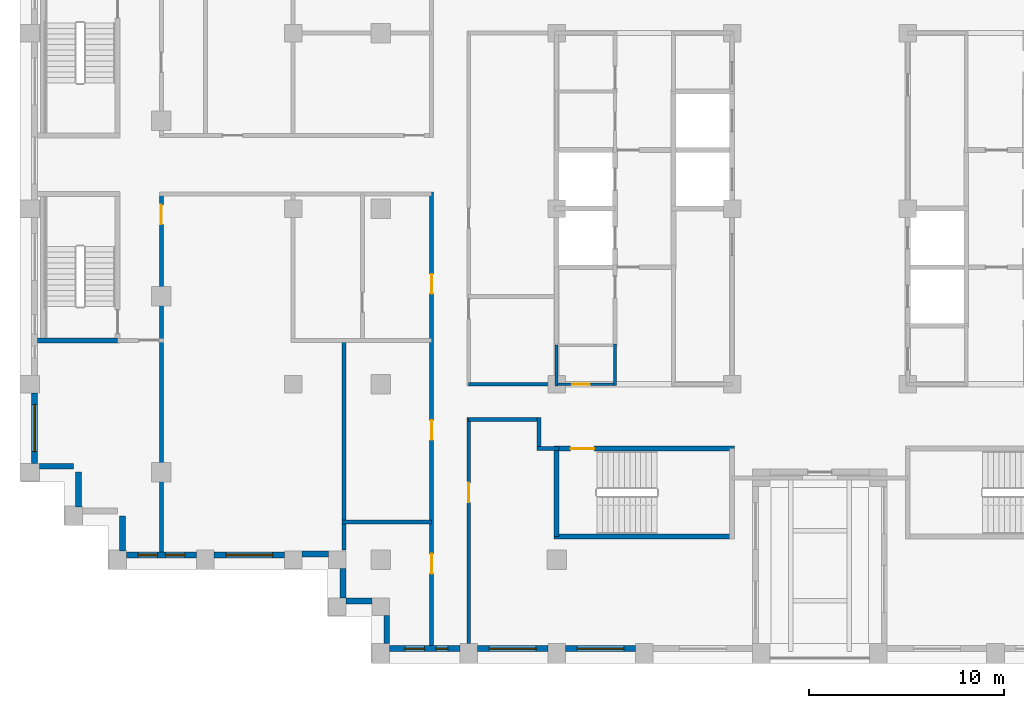
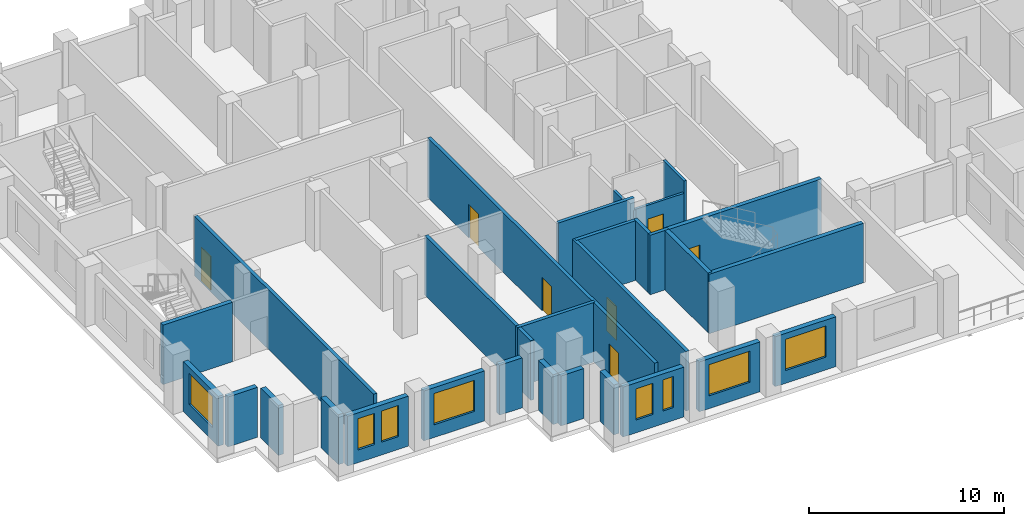
# One storey, part 2 of 12: 29 walls, 8 windows, 7 doors, 15 openings.
"""IFC4 building model written with IfcOpenShell, lengths in metres."""

from ifc_helpers import new_model, si_unit, direction, frame, frame_2d, origin, place, context, subcontext, project, spatial, rectangle, extrude, material, layer, layer_set, type_object, element, fill, save


model = new_model("IFC4")

# Units and contexts
model_context = context("Model", 3, precision=1e-05, world=origin(), true_north=direction((0.0, 1.0)))
body_context = subcontext(model_context, "Body", "Model", "MODEL_VIEW")
ifc_project = project(units=[si_unit("LENGTHUNIT", "METRE"), si_unit("AREAUNIT", "SQUARE_METRE"), si_unit("VOLUMEUNIT", "CUBIC_METRE"), si_unit("PLANEANGLEUNIT", "RADIAN"), si_unit("MASSUNIT", "GRAM", prefix="KILO")], contexts=[model_context])

# Site, building, storey
site_placement = place(None, origin())
site = spatial("IfcSite", under=ifc_project, at=site_placement, CompositionType="ELEMENT")
building_placement = place(site_placement, origin())
building = spatial("IfcBuilding", under=site, at=building_placement, Name="Corbelhall Arena Tower", CompositionType="ELEMENT")
storey_placement = place(building_placement, frame((0.0, 0.0, 184.0)))
storey = spatial("IfcBuildingStorey", under=building, at=storey_placement, Name="L37", CompositionType="ELEMENT", Elevation=184.0)

# Walls
ifc_material_1 = material(Name="Precast concrete C40/50 with granite facing", Category="masonry")
ifc_layer_1 = layer(ifc_material_1, 0.300048828125)
ifc_layer_set_1 = layer_set([ifc_layer_1], Name="EV-IW1 Infill panel 300")
wall_type_1 = type_object("IfcWallType", Name="EV-IW1 Infill panel 300", PredefinedType="SOLIDWALL", material=ifc_layer_set_1)
wall_1_placement = place(storey_placement, frame((-40.0, -13.199951171875, 0.0), z_axis=(0.0, 0.0, 1.0), x_axis=(1.0, 0.0, 0.0)))
element("IfcWall", 1, at=wall_1_placement, inside=storey, type_object=wall_type_1, Name="Infill panel IW1", PredefinedType="SOLIDWALL", context=body_context, shape_type="SweptSolid", body=[
    extrude(rectangle(XDim=1.75, YDim=0.300048828125, at=frame_2d((0.875, 0.0))), origin(), (0.0, 0.0, 1.0), 3.1201171875),
])
for number, where, z_axis, x_axis, name in (
    (2, (-38.0, -15.300048828125, 0.0), (0.0, 0.0, 1.0), (0.0, 1.0, 0.0), "Infill panel IW1"),
    (3, (-35.75, -17.550048828125, 0.0), (0.0, 0.0, 1.0), (0.0, 1.0, 0.0), "Infill panel IW1"),
):
    element("IfcWall", number, at=place(storey_placement, frame(where, z_axis=z_axis, x_axis=x_axis)), inside=storey, type_object=wall_type_1, Name=name, PredefinedType="SOLIDWALL", context=body_context, shape_type="SweptSolid", body=[
        extrude(rectangle(XDim=1.800048828125, YDim=0.300048828125, at=frame_2d((0.89990234375, 0.0))), origin(), (0.0, 0.0, 1.0), 3.1201171875),
    ])

# Wall, opening, window
wall_2_placement = place(storey_placement, frame((-40.25, -9.449951171875, 0.0), z_axis=(0.0, 0.0, 1.0), x_axis=(0.0, -1.0, 0.0)))
wall_2 = element("IfcWall", 4, at=wall_2_placement, inside=storey, type_object=wall_type_1, Name="Infill panel IW1", PredefinedType="SOLIDWALL", context=body_context, shape_type="SweptSolid", body=[
    extrude(rectangle(XDim=3.60009765625, YDim=0.300048828125, at=frame_2d((1.800048828125, 0.0))), origin(), (0.0, 0.0, 1.0), 3.1201171875),
])
opening_1_placement = place(wall_2_placement, frame((0.60009765625, 0.0, 0.800048828125)))
opening_1 = element("IfcOpeningElement", 5, at=opening_1_placement, cuts=wall_2, Name="Opening WN1", PredefinedType="OPENING", context=body_context, shape_type="SweptSolid", body=[
    extrude(rectangle(XDim=2.39990234375, YDim=1.949951171875, at=frame_2d((1.199951171875, 0.97509765625))), frame((0.0, 0.14990234375, 0.0), z_axis=(0.0, -1.0, 0.0), x_axis=(1.0, 0.0, 0.0)), (0.0, 0.0, 1.0), 0.300048828125),
])
ifc_material_2 = material(Name="Aluminium black anodised", Category="aluminium")
window_type_1 = type_object("IfcWindowType", Name="EV-WN1 Office window", PartitioningType="SINGLE_PANEL", PredefinedType="WINDOW", material=ifc_material_2)
window_1_placement = place(opening_1_placement, origin())
window_1 = element("IfcWindow", 6, at=window_1_placement, inside=storey, type_object=window_type_1, Name="Window WN1", OverallHeight=1.949951171875, OverallWidth=2.39990234375, PartitioningType="SINGLE_PANEL", PredefinedType="WINDOW", context=body_context, shape_type="SweptSolid", body=[
    extrude(rectangle(XDim=2.39990234375, YDim=1.949951171875, at=frame_2d((1.199951171875, 0.97509765625))), frame((0.0, 0.030029296875, 0.0), z_axis=(0.0, -1.0, 0.0), x_axis=(1.0, 0.0, 0.0)), (0.0, 0.0, 1.0), 0.06005859375),
])
fill(opening_1, window_1)

# Wall, openings, windows
wall_3_placement = place(storey_placement, frame((-35.550048828125, -17.75, 0.0), z_axis=(0.0, 0.0, 1.0), x_axis=(1.0, 0.0, 0.0)))
wall_3 = element("IfcWall", 7, at=wall_3_placement, inside=storey, type_object=wall_type_1, Name="Infill panel IW1", PredefinedType="SOLIDWALL", context=body_context, shape_type="SweptSolid", body=[
    extrude(rectangle(XDim=3.60009765625, YDim=0.300048828125, at=frame_2d((1.800048828125, 0.0))), origin(), (0.0, 0.0, 1.0), 3.1201171875),
])
opening_2_placement = place(wall_3_placement, frame((0.60009765625, 0.0, 0.800048828125)))
opening_2 = element("IfcOpeningElement", 8, at=opening_2_placement, cuts=wall_3, Name="Opening WN6", PredefinedType="OPENING", context=body_context, shape_type="SweptSolid", body=[
    extrude(rectangle(XDim=1.0, YDim=1.949951171875, at=frame_2d((0.5, 0.97509765625))), frame((0.0, 0.14990234375, 0.0), z_axis=(0.0, -1.0, 0.0), x_axis=(1.0, 0.0, 0.0)), (0.0, 0.0, 1.0), 0.300048828125),
])
opening_3_placement = place(wall_3_placement, frame((2.0, 0.0, 0.800048828125)))
opening_3 = element("IfcOpeningElement", 9, at=opening_3_placement, cuts=wall_3, Name="Opening WN6", PredefinedType="OPENING", context=body_context, shape_type="SweptSolid", body=[
    extrude(rectangle(XDim=1.0, YDim=1.949951171875, at=frame_2d((0.5, 0.97509765625))), frame((0.0, 0.14990234375, 0.0), z_axis=(0.0, -1.0, 0.0), x_axis=(1.0, 0.0, 0.0)), (0.0, 0.0, 1.0), 0.300048828125),
])
window_type_2 = type_object("IfcWindowType", Name="EV-WN6 Office window 1000", PartitioningType="SINGLE_PANEL", PredefinedType="WINDOW", material=ifc_material_2)
window_2_placement = place(opening_2_placement, origin())
window_2 = element("IfcWindow", 10, at=window_2_placement, inside=storey, type_object=window_type_2, Name="Window WN6", OverallHeight=1.949951171875, OverallWidth=1.0, PartitioningType="SINGLE_PANEL", PredefinedType="WINDOW", context=body_context, shape_type="SweptSolid", body=[
    extrude(rectangle(XDim=1.0, YDim=1.949951171875, at=frame_2d((0.5, 0.97509765625))), frame((0.0, 0.030029296875, 0.0), z_axis=(0.0, -1.0, 0.0), x_axis=(1.0, 0.0, 0.0)), (0.0, 0.0, 1.0), 0.06005859375),
])
fill(opening_2, window_2)
window_3_placement = place(opening_3_placement, origin())
window_3 = element("IfcWindow", 11, at=window_3_placement, inside=storey, type_object=window_type_2, Name="Window WN6", OverallHeight=1.949951171875, OverallWidth=1.0, PartitioningType="SINGLE_PANEL", PredefinedType="WINDOW", context=body_context, shape_type="SweptSolid", body=[
    extrude(rectangle(XDim=1.0, YDim=1.949951171875, at=frame_2d((0.5, 0.97509765625))), frame((0.0, 0.030029296875, 0.0), z_axis=(0.0, -1.0, 0.0), x_axis=(1.0, 0.0, 0.0)), (0.0, 0.0, 1.0), 0.06005859375),
])
fill(opening_3, window_3)

# Wall, opening, window
wall_4_placement = place(storey_placement, frame((-31.050048828125, -17.75, 0.0), z_axis=(0.0, 0.0, 1.0), x_axis=(1.0, 0.0, 0.0)))
wall_4 = element("IfcWall", 12, at=wall_4_placement, inside=storey, type_object=wall_type_1, Name="Infill panel IW1", PredefinedType="SOLIDWALL", context=body_context, shape_type="SweptSolid", body=[
    extrude(rectangle(XDim=3.60009765625, YDim=0.300048828125, at=frame_2d((1.800048828125, 0.0))), origin(), (0.0, 0.0, 1.0), 3.1201171875),
])
opening_4_placement = place(wall_4_placement, frame((0.60009765625, 0.0, 0.800048828125)))
opening_4 = element("IfcOpeningElement", 13, at=opening_4_placement, cuts=wall_4, Name="Opening WN1", PredefinedType="OPENING", context=body_context, shape_type="SweptSolid", body=[
    extrude(rectangle(XDim=2.39990234375, YDim=1.949951171875, at=frame_2d((1.199951171875, 0.97509765625))), frame((0.0, 0.14990234375, 0.0), z_axis=(0.0, -1.0, 0.0), x_axis=(1.0, 0.0, 0.0)), (0.0, 0.0, 1.0), 0.300048828125),
])
window_4_placement = place(opening_4_placement, origin())
window_4 = element("IfcWindow", 14, at=window_4_placement, inside=storey, type_object=window_type_1, Name="Window WN1", OverallHeight=1.949951171875, OverallWidth=2.39990234375, PartitioningType="SINGLE_PANEL", PredefinedType="WINDOW", context=body_context, shape_type="SweptSolid", body=[
    extrude(rectangle(XDim=2.39990234375, YDim=1.949951171875, at=frame_2d((1.199951171875, 0.97509765625))), frame((0.0, 0.030029296875, 0.0), z_axis=(0.0, -1.0, 0.0), x_axis=(1.0, 0.0, 0.0)), (0.0, 0.0, 1.0), 0.06005859375),
])
fill(opening_4, window_4)

# Walls
wall_5_placement = place(storey_placement, frame((-26.550048828125, -17.699951171875, 0.0), z_axis=(0.0, 0.0, 1.0), x_axis=(1.0, 0.0, 0.0)))
element("IfcWall", 15, at=wall_5_placement, inside=storey, type_object=wall_type_1, Name="Infill panel IW1", PredefinedType="SOLIDWALL", context=body_context, shape_type="SweptSolid", body=[
    extrude(rectangle(XDim=1.35009765625, YDim=0.300048828125, at=frame_2d((0.675048828125, 0.0))), origin(), (0.0, 0.0, 1.0), 3.1201171875),
])
wall_6_placement = place(storey_placement, frame((-24.449951171875, -18.449951171875, 0.0), z_axis=(0.0, 0.0, 1.0), x_axis=(0.0, -1.0, 0.0)))
element("IfcWall", 16, at=wall_6_placement, inside=storey, type_object=wall_type_1, Name="Infill panel IW1", PredefinedType="SOLIDWALL", context=body_context, shape_type="SweptSolid", body=[
    extrude(rectangle(XDim=1.5, YDim=0.300048828125, at=frame_2d((0.75, 0.0))), origin(), (0.0, 0.0, 1.0), 3.1201171875),
])
wall_7_placement = place(storey_placement, frame((-24.300048828125, -20.10009765625, 0.0), z_axis=(0.0, 0.0, 1.0), x_axis=(1.0, 0.0, 0.0)))
element("IfcWall", 17, at=wall_7_placement, inside=storey, type_object=wall_type_1, Name="Infill panel IW1", PredefinedType="SOLIDWALL", context=body_context, shape_type="SweptSolid", body=[
    extrude(rectangle(XDim=1.35009765625, YDim=0.300048828125, at=frame_2d((0.675048828125, 0.0))), origin(), (0.0, 0.0, 1.0), 3.1201171875),
])
wall_8_placement = place(storey_placement, frame((-22.199951171875, -20.85009765625, 0.0), z_axis=(0.0, 0.0, 1.0), x_axis=(0.0, -1.0, 0.0)))
element("IfcWall", 18, at=wall_8_placement, inside=storey, type_object=wall_type_1, Name="Infill panel IW1", PredefinedType="SOLIDWALL", context=body_context, shape_type="SweptSolid", body=[
    extrude(rectangle(XDim=1.449951171875, YDim=0.300048828125, at=frame_2d((0.72509765625, 0.0))), origin(), (0.0, 0.0, 1.0), 3.1201171875),
])

# Wall, openings, windows
wall_9_placement = place(storey_placement, frame((-22.050048828125, -22.550048828125, 0.0), z_axis=(0.0, 0.0, 1.0), x_axis=(1.0, 0.0, 0.0)))
wall_9 = element("IfcWall", 19, at=wall_9_placement, inside=storey, type_object=wall_type_1, Name="Infill panel IW1", PredefinedType="SOLIDWALL", context=body_context, shape_type="SweptSolid", body=[
    extrude(rectangle(XDim=3.60009765625, YDim=0.300048828125, at=frame_2d((1.800048828125, 0.0))), origin(), (0.0, 0.0, 1.0), 3.1201171875),
])
opening_5_placement = place(wall_9_placement, frame((0.77490234375, 0.0, 0.800048828125)))
opening_5 = element("IfcOpeningElement", 20, at=opening_5_placement, cuts=wall_9, Name="Opening WN6", PredefinedType="OPENING", context=body_context, shape_type="SweptSolid", body=[
    extrude(rectangle(XDim=1.0, YDim=1.949951171875, at=frame_2d((0.5, 0.97509765625))), frame((0.0, 0.14990234375, 0.0), z_axis=(0.0, -1.0, 0.0), x_axis=(1.0, 0.0, 0.0)), (0.0, 0.0, 1.0), 0.300048828125),
])
opening_6_placement = place(wall_9_placement, frame((2.375, 0.0, 0.800048828125)))
opening_6 = element("IfcOpeningElement", 21, at=opening_6_placement, cuts=wall_9, Name="Opening WN5", PredefinedType="OPENING", context=body_context, shape_type="SweptSolid", body=[
    extrude(rectangle(XDim=0.60009765625, YDim=1.949951171875, at=frame_2d((0.300048828125, 0.97509765625))), frame((0.0, 0.14990234375, 0.0), z_axis=(0.0, -1.0, 0.0), x_axis=(1.0, 0.0, 0.0)), (0.0, 0.0, 1.0), 0.300048828125),
])
window_type_3 = type_object("IfcWindowType", Name="EV-WN5 Office window 600", PartitioningType="SINGLE_PANEL", PredefinedType="WINDOW", material=ifc_material_2)
window_5_placement = place(opening_6_placement, origin())
window_5 = element("IfcWindow", 22, at=window_5_placement, inside=storey, type_object=window_type_3, Name="Window WN5", OverallHeight=1.949951171875, OverallWidth=0.60009765625, PartitioningType="SINGLE_PANEL", PredefinedType="WINDOW", context=body_context, shape_type="SweptSolid", body=[
    extrude(rectangle(XDim=0.60009765625, YDim=1.949951171875, at=frame_2d((0.300048828125, 0.97509765625))), frame((0.0, 0.030029296875, 0.0), z_axis=(0.0, -1.0, 0.0), x_axis=(1.0, 0.0, 0.0)), (0.0, 0.0, 1.0), 0.06005859375),
])
fill(opening_6, window_5)
window_6_placement = place(opening_5_placement, origin())
window_6 = element("IfcWindow", 23, at=window_6_placement, inside=storey, type_object=window_type_2, Name="Window WN6", OverallHeight=1.949951171875, OverallWidth=1.0, PartitioningType="SINGLE_PANEL", PredefinedType="WINDOW", context=body_context, shape_type="SweptSolid", body=[
    extrude(rectangle(XDim=1.0, YDim=1.949951171875, at=frame_2d((0.5, 0.97509765625))), frame((0.0, 0.030029296875, 0.0), z_axis=(0.0, -1.0, 0.0), x_axis=(1.0, 0.0, 0.0)), (0.0, 0.0, 1.0), 0.06005859375),
])
fill(opening_5, window_6)

# Wall, opening, window
wall_10_placement = place(storey_placement, frame((-17.550048828125, -22.550048828125, 0.0), z_axis=(0.0, 0.0, 1.0), x_axis=(1.0, 0.0, 0.0)))
wall_10 = element("IfcWall", 24, at=wall_10_placement, inside=storey, type_object=wall_type_1, Name="Infill panel IW1", PredefinedType="SOLIDWALL", context=body_context, shape_type="SweptSolid", body=[
    extrude(rectangle(XDim=3.60009765625, YDim=0.300048828125, at=frame_2d((1.800048828125, 0.0))), origin(), (0.0, 0.0, 1.0), 3.1201171875),
])
opening_7_placement = place(wall_10_placement, frame((0.60009765625, 0.0, 0.800048828125)))
opening_7 = element("IfcOpeningElement", 25, at=opening_7_placement, cuts=wall_10, Name="Opening WN1", PredefinedType="OPENING", context=body_context, shape_type="SweptSolid", body=[
    extrude(rectangle(XDim=2.39990234375, YDim=1.949951171875, at=frame_2d((1.199951171875, 0.97509765625))), frame((0.0, 0.14990234375, 0.0), z_axis=(0.0, -1.0, 0.0), x_axis=(1.0, 0.0, 0.0)), (0.0, 0.0, 1.0), 0.300048828125),
])
window_7_placement = place(opening_7_placement, origin())
window_7 = element("IfcWindow", 26, at=window_7_placement, inside=storey, type_object=window_type_1, Name="Window WN1", OverallHeight=1.949951171875, OverallWidth=2.39990234375, PartitioningType="SINGLE_PANEL", PredefinedType="WINDOW", context=body_context, shape_type="SweptSolid", body=[
    extrude(rectangle(XDim=2.39990234375, YDim=1.949951171875, at=frame_2d((1.199951171875, 0.97509765625))), frame((0.0, 0.030029296875, 0.0), z_axis=(0.0, -1.0, 0.0), x_axis=(1.0, 0.0, 0.0)), (0.0, 0.0, 1.0), 0.06005859375),
])
fill(opening_7, window_7)

wall_11_placement = place(storey_placement, frame((-13.050048828125, -22.550048828125, 0.0), z_axis=(0.0, 0.0, 1.0), x_axis=(1.0, 0.0, 0.0)))
wall_11 = element("IfcWall", 27, at=wall_11_placement, inside=storey, type_object=wall_type_1, Name="Infill panel IW1", PredefinedType="SOLIDWALL", context=body_context, shape_type="SweptSolid", body=[
    extrude(rectangle(XDim=3.60009765625, YDim=0.300048828125, at=frame_2d((1.800048828125, 0.0))), origin(), (0.0, 0.0, 1.0), 3.1201171875),
])
opening_8_placement = place(wall_11_placement, frame((0.60009765625, 0.0, 0.800048828125)))
opening_8 = element("IfcOpeningElement", 28, at=opening_8_placement, cuts=wall_11, Name="Opening WN1", PredefinedType="OPENING", context=body_context, shape_type="SweptSolid", body=[
    extrude(rectangle(XDim=2.39990234375, YDim=1.949951171875, at=frame_2d((1.199951171875, 0.97509765625))), frame((0.0, 0.14990234375, 0.0), z_axis=(0.0, -1.0, 0.0), x_axis=(1.0, 0.0, 0.0)), (0.0, 0.0, 1.0), 0.300048828125),
])
window_8_placement = place(opening_8_placement, origin())
window_8 = element("IfcWindow", 29, at=window_8_placement, inside=storey, type_object=window_type_1, Name="Window WN1", OverallHeight=1.949951171875, OverallWidth=2.39990234375, PartitioningType="SINGLE_PANEL", PredefinedType="WINDOW", context=body_context, shape_type="SweptSolid", body=[
    extrude(rectangle(XDim=2.39990234375, YDim=1.949951171875, at=frame_2d((1.199951171875, 0.97509765625))), frame((0.0, 0.030029296875, 0.0), z_axis=(0.0, -1.0, 0.0), x_axis=(1.0, 0.0, 0.0)), (0.0, 0.0, 1.0), 0.06005859375),
])
fill(opening_8, window_8)

# Wall, opening, door
ifc_material_3 = material(Name="Gypsum board on steel stud, acoustic", Category="steel")
ifc_layer_2 = layer(ifc_material_3, 0.199951171875)
ifc_layer_set_2 = layer_set([ifc_layer_2], Name="IN-W-DM200")
wall_type_2 = type_object("IfcWallType", Name="IN-W-DM200", PredefinedType="PARTITIONING", material=ifc_layer_set_2)
wall_12_placement = place(storey_placement, frame((-33.75, 0.75, 0.0), z_axis=(0.0, 0.0, 1.0), x_axis=(0.0, -1.0, 0.0)))
wall_12 = element("IfcWall", 30, at=wall_12_placement, inside=storey, type_object=wall_type_2, Name="Partition 003", PredefinedType="PARTITIONING", context=body_context, shape_type="SweptSolid", body=[
    extrude(rectangle(XDim=18.35009765625, YDim=0.199951171875, at=frame_2d((9.175048828125, 0.0))), origin(), (0.0, 0.0, 1.0), 3.719970703125),
])
opening_9_placement = place(wall_12_placement, frame((0.550048828125, 0.0, 0.0)))
opening_9 = element("IfcOpeningElement", 31, at=opening_9_placement, cuts=wall_12, Name="Opening 11043", PredefinedType="OPENING", context=body_context, shape_type="SweptSolid", body=[
    extrude(rectangle(XDim=1.0, YDim=2.10009765625, at=frame_2d((0.5, 1.050048828125))), frame((0.0, 0.10009765625, 0.0), z_axis=(0.0, -1.0, 0.0), x_axis=(1.0, 0.0, 0.0)), (0.0, 0.0, 1.0), 0.199951171875),
])
ifc_material_4 = material(Name="Steel door set", Category="steel")
door_type_1 = type_object("IfcDoorType", Name="IN-D-SW100", OperationType="NOTDEFINED", PredefinedType="DOOR", material=ifc_material_4)
door_1_placement = place(opening_9_placement, origin())
door_1 = element("IfcDoor", 32, at=door_1_placement, inside=storey, type_object=door_type_1, Name="Door 043", OperationType="SINGLE_SWING_RIGHT", OverallHeight=2.10009765625, OverallWidth=1.0, PredefinedType="DOOR", context=body_context, shape_type="SweptSolid", body=[
    extrude(rectangle(XDim=1.0, YDim=2.10009765625, at=frame_2d((0.5, 1.050048828125))), frame((0.0, 0.02490234375, 0.0), z_axis=(0.0, -1.0, 0.0), x_axis=(1.0, 0.0, 0.0)), (0.0, 0.0, 1.0), 0.050048828125),
])
fill(opening_9, door_1)

# Walls
wall_13_placement = place(storey_placement, frame((-24.5, -16.050048828125, 0.0), z_axis=(0.0, 0.0, 1.0), x_axis=(1.0, 0.0, 0.0)))
element("IfcWall", 33, at=wall_13_placement, inside=storey, type_object=wall_type_2, Name="Partition 011", PredefinedType="PARTITIONING", context=body_context, shape_type="SweptSolid", body=[
    extrude(rectangle(XDim=4.60009765625, YDim=0.199951171875, at=frame_2d((2.300048828125, 0.0))), origin(), (0.0, 0.0, 1.0), 3.719970703125),
])
wall_14_placement = place(storey_placement, frame((-24.39990234375, -17.5, 0.0), z_axis=(0.0, 0.0, 1.0), x_axis=(0.0, 1.0, 0.0)))
element("IfcWall", 34, at=wall_14_placement, inside=storey, type_object=wall_type_2, Name="Partition 013", PredefinedType="PARTITIONING", context=body_context, shape_type="SweptSolid", body=[
    extrude(rectangle(XDim=10.85009765625, YDim=0.199951171875, at=frame_2d((5.425048828125, 0.0))), origin(), (0.0, 0.0, 1.0), 3.719970703125),
])

# Wall, openings, doors
wall_15_placement = place(storey_placement, frame((-19.89990234375, -22.39990234375, 0.0), z_axis=(0.0, 0.0, 1.0), x_axis=(0.0, 1.0, 0.0)))
wall_15 = element("IfcWall", 35, at=wall_15_placement, inside=storey, type_object=wall_type_2, Name="Partition 016", PredefinedType="PARTITIONING", context=body_context, shape_type="SweptSolid", body=[
    extrude(rectangle(XDim=23.25, YDim=0.199951171875, at=frame_2d((11.625, 0.0))), origin(), (0.0, 0.0, 1.0), 3.719970703125),
])
opening_10_placement = place(wall_15_placement, frame((3.699951171875, 0.0, 0.0)))
opening_10 = element("IfcOpeningElement", 36, at=opening_10_placement, cuts=wall_15, Name="Opening 11032", PredefinedType="OPENING", context=body_context, shape_type="SweptSolid", body=[
    extrude(rectangle(XDim=1.0, YDim=2.10009765625, at=frame_2d((0.5, 1.050048828125))), frame((0.0, 0.10009765625, 0.0), z_axis=(0.0, -1.0, 0.0), x_axis=(1.0, 0.0, 0.0)), (0.0, 0.0, 1.0), 0.199951171875),
])
opening_11_placement = place(wall_15_placement, frame((10.550048828125, 0.0, 0.0)))
opening_11 = element("IfcOpeningElement", 37, at=opening_11_placement, cuts=wall_15, Name="Opening 11033", PredefinedType="OPENING", context=body_context, shape_type="SweptSolid", body=[
    extrude(rectangle(XDim=1.0, YDim=2.10009765625, at=frame_2d((0.5, 1.050048828125))), frame((0.0, 0.10009765625, 0.0), z_axis=(0.0, -1.0, 0.0), x_axis=(1.0, 0.0, 0.0)), (0.0, 0.0, 1.0), 0.199951171875),
])
opening_12_placement = place(wall_15_placement, frame((18.050048828125, 0.0, 0.0)))
opening_12 = element("IfcOpeningElement", 38, at=opening_12_placement, cuts=wall_15, Name="Opening 11034", PredefinedType="OPENING", context=body_context, shape_type="SweptSolid", body=[
    extrude(rectangle(XDim=1.0, YDim=2.10009765625, at=frame_2d((0.5, 1.050048828125))), frame((0.0, 0.10009765625, 0.0), z_axis=(0.0, -1.0, 0.0), x_axis=(1.0, 0.0, 0.0)), (0.0, 0.0, 1.0), 0.199951171875),
])
door_2_placement = place(opening_10_placement, origin())
door_2 = element("IfcDoor", 39, at=door_2_placement, inside=storey, type_object=door_type_1, Name="Door 032", OperationType="SINGLE_SWING_LEFT", OverallHeight=2.10009765625, OverallWidth=1.0, PredefinedType="DOOR", context=body_context, shape_type="SweptSolid", body=[
    extrude(rectangle(XDim=1.0, YDim=2.10009765625, at=frame_2d((0.5, 1.050048828125))), frame((0.0, 0.02490234375, 0.0), z_axis=(0.0, -1.0, 0.0), x_axis=(1.0, 0.0, 0.0)), (0.0, 0.0, 1.0), 0.050048828125),
])
fill(opening_10, door_2)
door_3_placement = place(opening_11_placement, origin())
door_3 = element("IfcDoor", 40, at=door_3_placement, inside=storey, type_object=door_type_1, Name="Door 033", OperationType="SINGLE_SWING_RIGHT", OverallHeight=2.10009765625, OverallWidth=1.0, PredefinedType="DOOR", context=body_context, shape_type="SweptSolid", body=[
    extrude(rectangle(XDim=1.0, YDim=2.10009765625, at=frame_2d((0.5, 1.050048828125))), frame((0.0, 0.02490234375, 0.0), z_axis=(0.0, -1.0, 0.0), x_axis=(1.0, 0.0, 0.0)), (0.0, 0.0, 1.0), 0.050048828125),
])
fill(opening_11, door_3)
door_4_placement = place(opening_12_placement, origin())
door_4 = element("IfcDoor", 41, at=door_4_placement, inside=storey, type_object=door_type_1, Name="Door 034", OperationType="SINGLE_SWING_LEFT", OverallHeight=2.10009765625, OverallWidth=1.0, PredefinedType="DOOR", context=body_context, shape_type="SweptSolid", body=[
    extrude(rectangle(XDim=1.0, YDim=2.10009765625, at=frame_2d((0.5, 1.050048828125))), frame((0.0, 0.02490234375, 0.0), z_axis=(0.0, -1.0, 0.0), x_axis=(1.0, 0.0, 0.0)), (0.0, 0.0, 1.0), 0.050048828125),
])
fill(opening_12, door_4)

# Wall, opening, door
wall_16_placement = place(storey_placement, frame((-18.0, -10.699951171875, 0.0), z_axis=(0.0, 0.0, 1.0), x_axis=(0.0, -1.0, 0.0)))
wall_16 = element("IfcWall", 42, at=wall_16_placement, inside=storey, type_object=wall_type_2, Name="Partition 019", PredefinedType="PARTITIONING", context=body_context, shape_type="SweptSolid", body=[
    extrude(rectangle(XDim=11.60009765625, YDim=0.199951171875, at=frame_2d((5.800048828125, 0.0))), origin(), (0.0, 0.0, 1.0), 3.719970703125),
])
opening_13_placement = place(wall_16_placement, frame((3.35009765625, 0.0, 0.0)))
opening_13 = element("IfcOpeningElement", 43, at=opening_13_placement, cuts=wall_16, Name="Opening 11029", PredefinedType="OPENING", context=body_context, shape_type="SweptSolid", body=[
    extrude(rectangle(XDim=1.0, YDim=2.10009765625, at=frame_2d((0.5, 1.050048828125))), frame((0.0, 0.10009765625, 0.0), z_axis=(0.0, -1.0, 0.0), x_axis=(1.0, 0.0, 0.0)), (0.0, 0.0, 1.0), 0.199951171875),
])
door_5_placement = place(opening_13_placement, origin())
door_5 = element("IfcDoor", 44, at=door_5_placement, inside=storey, type_object=door_type_1, Name="Door 029", OperationType="SINGLE_SWING_RIGHT", OverallHeight=2.10009765625, OverallWidth=1.0, PredefinedType="DOOR", context=body_context, shape_type="SweptSolid", body=[
    extrude(rectangle(XDim=1.0, YDim=2.10009765625, at=frame_2d((0.5, 1.050048828125))), frame((0.0, 0.02490234375, 0.0), z_axis=(0.0, -1.0, 0.0), x_axis=(1.0, 0.0, 0.0)), (0.0, 0.0, 1.0), 0.050048828125),
])
fill(opening_13, door_5)

# Walls
wall_17_placement = place(storey_placement, frame((-18.0, -9.0, 0.0), z_axis=(0.0, 0.0, 1.0), x_axis=(1.0, 0.0, 0.0)))
element("IfcWall", 45, at=wall_17_placement, inside=storey, type_object=wall_type_2, Name="Partition 020", PredefinedType="PARTITIONING", context=body_context, shape_type="SweptSolid", body=[
    extrude(rectangle(XDim=4.5, YDim=0.199951171875, at=frame_2d((2.25, 0.0))), origin(), (0.0, 0.0, 1.0), 3.719970703125),
])
wall_18_placement = place(storey_placement, frame((-14.39990234375, -12.300048828125, 0.0), z_axis=(0.0, 0.0, 1.0), x_axis=(0.0, 1.0, 0.0)))
element("IfcWall", 46, at=wall_18_placement, inside=storey, type_object=wall_type_2, Name="Partition 028", PredefinedType="PARTITIONING", context=body_context, shape_type="SweptSolid", body=[
    extrude(rectangle(XDim=1.60009765625, YDim=0.199951171875, at=frame_2d((0.800048828125, 0.0))), origin(), (0.0, 0.0, 1.0), 3.719970703125),
])
wall_19_placement = place(storey_placement, frame((-14.39990234375, -10.800048828125, 0.0), z_axis=(0.0, 0.0, 1.0), x_axis=(-1.0, 0.0, 0.0)))
element("IfcWall", 47, at=wall_19_placement, inside=storey, type_object=wall_type_2, Name="Partition 029", PredefinedType="PARTITIONING", context=body_context, shape_type="SweptSolid", body=[
    extrude(rectangle(XDim=3.60009765625, YDim=0.199951171875, at=frame_2d((1.800048828125, 0.0))), origin(), (0.0, 0.0, 1.0), 3.719970703125),
])
wall_20_placement = place(storey_placement, frame((-13.375, -12.300048828125, 0.0), z_axis=(0.0, 0.0, 1.0), x_axis=(-1.0, 0.0, 0.0)))
element("IfcWall", 48, at=wall_20_placement, inside=storey, type_object=wall_type_2, Name="Partition 032", PredefinedType="PARTITIONING", context=body_context, shape_type="SweptSolid", body=[
    extrude(rectangle(XDim=1.125, YDim=0.199951171875, at=frame_2d((0.5625, 0.0))), origin(), (0.0, 0.0, 1.0), 3.719970703125),
])
ifc_material_5 = material(Name="Concrete C40/50", Category="concrete")
ifc_layer_3 = layer(ifc_material_5, 0.25)
ifc_layer_set_3 = layer_set([ifc_layer_3], Name="IN-W-ST250")
wall_type_3 = type_object("IfcWallType", Name="IN-W-ST250", PredefinedType="SOLIDWALL", material=ifc_layer_set_3)
wall_21_placement = place(storey_placement, frame((-36.0, -6.75, 0.0), z_axis=(0.0, 0.0, 1.0), x_axis=(-1.0, 0.0, 0.0)))
element("IfcWall", 49, at=wall_21_placement, inside=storey, type_object=wall_type_3, Name="Shaft wall 093", PredefinedType="SOLIDWALL", context=body_context, shape_type="SweptSolid", body=[
    extrude(rectangle(XDim=4.10009765625, YDim=0.25, at=frame_2d((2.050048828125, 0.0))), origin(), (0.0, 0.0, 1.0), 3.719970703125),
])
wall_22_placement = place(storey_placement, frame((-13.5, -16.800048828125, 0.0), z_axis=(0.0, 0.0, 1.0), x_axis=(0.0, 1.0, 0.0)))
element("IfcWall", 50, at=wall_22_placement, inside=storey, type_object=wall_type_3, Name="Shaft wall 099", PredefinedType="SOLIDWALL", context=body_context, shape_type="SweptSolid", body=[
    extrude(rectangle(XDim=4.5, YDim=0.25, at=frame_2d((2.25, 0.0))), origin(), (0.0, 0.0, 1.0), 3.719970703125),
])
wall_23_placement = place(storey_placement, frame((-4.5, -16.800048828125, 0.0), z_axis=(0.0, 0.0, 1.0), x_axis=(-1.0, 0.0, 0.0)))
element("IfcWall", 51, at=wall_23_placement, inside=storey, type_object=wall_type_3, Name="Shaft wall 101", PredefinedType="SOLIDWALL", context=body_context, shape_type="SweptSolid", body=[
    extrude(rectangle(XDim=9.125, YDim=0.25, at=frame_2d((4.5625, 0.0))), origin(), (0.0, 0.0, 1.0), 3.719970703125),
])

# Wall, opening, door
wall_24_placement = place(storey_placement, frame((-4.375, -12.300048828125, 0.0), z_axis=(0.0, 0.0, 1.0), x_axis=(-1.0, 0.0, 0.0)))
wall_24 = element("IfcWall", 52, at=wall_24_placement, inside=storey, type_object=wall_type_3, Name="Shaft wall 104", PredefinedType="SOLIDWALL", context=body_context, shape_type="SweptSolid", body=[
    extrude(rectangle(XDim=9.25, YDim=0.25, at=frame_2d((4.625, 0.0))), origin(), (0.0, 0.0, 1.0), 3.719970703125),
])
opening_14_placement = place(wall_24_placement, frame((7.199951171875, 0.0, 0.0)))
opening_14 = element("IfcOpeningElement", 53, at=opening_14_placement, cuts=wall_24, Name="Opening 11017", PredefinedType="OPENING", context=body_context, shape_type="SweptSolid", body=[
    extrude(rectangle(XDim=1.199951171875, YDim=2.10009765625, at=frame_2d((0.60009765625, 1.050048828125))), frame((0.0, 0.125, 0.0), z_axis=(0.0, -1.0, 0.0), x_axis=(1.0, 0.0, 0.0)), (0.0, 0.0, 1.0), 0.25),
])
door_type_2 = type_object("IfcDoorType", Name="IN-D-ST120", OperationType="NOTDEFINED", PredefinedType="DOOR", material=ifc_material_4)
door_6_placement = place(opening_14_placement, origin())
door_6 = element("IfcDoor", 54, at=door_6_placement, inside=storey, type_object=door_type_2, Name="Door 017", OperationType="SINGLE_SWING_RIGHT", OverallHeight=2.10009765625, OverallWidth=1.199951171875, PredefinedType="DOOR", context=body_context, shape_type="SweptSolid", body=[
    extrude(rectangle(XDim=1.199951171875, YDim=2.10009765625, at=frame_2d((0.60009765625, 1.050048828125))), frame((0.0, 0.02490234375, 0.0), z_axis=(0.0, -1.0, 0.0), x_axis=(1.0, 0.0, 0.0)), (0.0, 0.0, 1.0), 0.050048828125),
])
fill(opening_14, door_6)

# Walls
ifc_material_6 = material(Name="Gypsum board on steel stud, moisture resistant", Category="steel")
ifc_layer_4 = layer(ifc_material_6, 0.14990234375)
ifc_layer_set_4 = layer_set([ifc_layer_4], Name="IN-W-WC150")
wall_type_4 = type_object("IfcWallType", Name="IN-W-WC150", PredefinedType="PARTITIONING", material=ifc_layer_set_4)
wall_25_placement = place(storey_placement, frame((-10.5, -9.074951171875, 0.0), z_axis=(0.0, 0.0, 1.0), x_axis=(0.0, 1.0, 0.0)))
element("IfcWall", 55, at=wall_25_placement, inside=storey, type_object=wall_type_4, Name="Partition 116", PredefinedType="PARTITIONING", context=body_context, shape_type="SweptSolid", body=[
    extrude(rectangle(XDim=2.14990234375, YDim=0.14990234375, at=frame_2d((1.074951171875, 0.0))), origin(), (0.0, 0.0, 1.0), 3.719970703125),
])
ifc_layer_5 = layer(ifc_material_6, 0.14990234375)
ifc_layer_set_5 = layer_set([ifc_layer_5], Name="IN-W-WC150 under beam 762 mm")
wall_type_5 = type_object("IfcWallType", Name="IN-W-WC150 under beam 762 mm", PredefinedType="PARTITIONING", material=ifc_layer_set_5)
wall_26_placement = place(storey_placement, frame((-13.5, -9.10009765625, 0.0), z_axis=(0.0, 0.0, 1.0), x_axis=(0.0, 1.0, 0.0)))
element("IfcWall", 56, at=wall_26_placement, inside=storey, type_object=wall_type_5, Name="Partition 114", PredefinedType="PARTITIONING", context=body_context, shape_type="SweptSolid", body=[
    extrude(rectangle(XDim=2.10009765625, YDim=0.14990234375, at=frame_2d((1.050048828125, 0.0))), origin(), (0.0, 0.0, 1.0), 2.9580078125),
])

# Wall, opening, door
wall_27_placement = place(storey_placement, frame((-10.5, -9.0, 0.0), z_axis=(0.0, 0.0, 1.0), x_axis=(-1.0, 0.0, 0.0)))
wall_27 = element("IfcWall", 57, at=wall_27_placement, inside=storey, type_object=wall_type_5, Name="Partition 117", PredefinedType="PARTITIONING", context=body_context, shape_type="SweptSolid", body=[
    extrude(rectangle(XDim=3.074951171875, YDim=0.14990234375, at=frame_2d((1.53759765625, 0.0))), origin(), (0.0, 0.0, 1.0), 2.9580078125),
])
opening_15_placement = place(wall_27_placement, frame((1.300048828125, 0.0, 0.0)))
opening_15 = element("IfcOpeningElement", 58, at=opening_15_placement, cuts=wall_27, Name="Opening 11005", PredefinedType="OPENING", context=body_context, shape_type="SweptSolid", body=[
    extrude(rectangle(XDim=0.89990234375, YDim=2.10009765625, at=frame_2d((0.449951171875, 1.050048828125))), frame((0.0, 0.074951171875, 0.0), z_axis=(0.0, -1.0, 0.0), x_axis=(1.0, 0.0, 0.0)), (0.0, 0.0, 1.0), 0.14990234375),
])
ifc_material_7 = material(Name="Timber door set", Category="wood")
door_type_3 = type_object("IfcDoorType", Name="IN-D-SW90", OperationType="NOTDEFINED", PredefinedType="DOOR", material=ifc_material_7)
door_7_placement = place(opening_15_placement, origin())
door_7 = element("IfcDoor", 59, at=door_7_placement, inside=storey, type_object=door_type_3, Name="Door 005", OperationType="SINGLE_SWING_RIGHT", OverallHeight=2.10009765625, OverallWidth=0.89990234375, PredefinedType="DOOR", context=body_context, shape_type="SweptSolid", body=[
    extrude(rectangle(XDim=0.89990234375, YDim=2.10009765625, at=frame_2d((0.449951171875, 1.050048828125))), frame((0.0, 0.02490234375, 0.0), z_axis=(0.0, -1.0, 0.0), x_axis=(1.0, 0.0, 0.0)), (0.0, 0.0, 1.0), 0.050048828125),
])
fill(opening_15, door_7)

save(model, "model.ifc")
